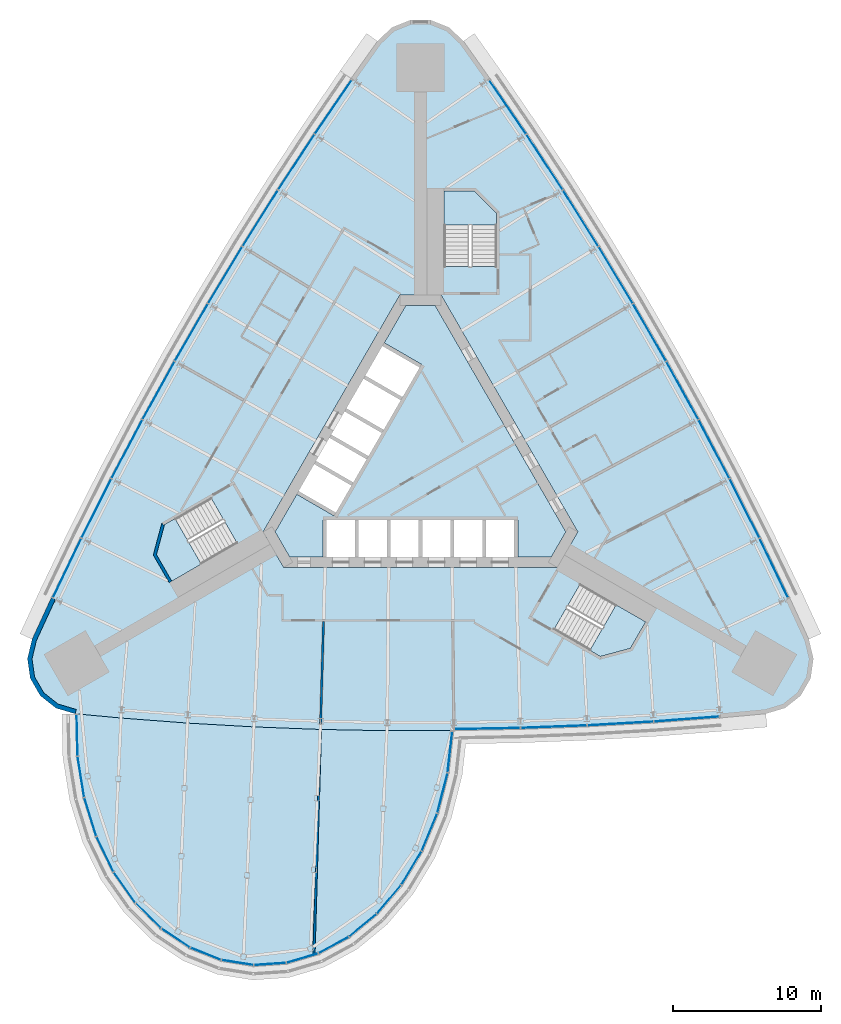
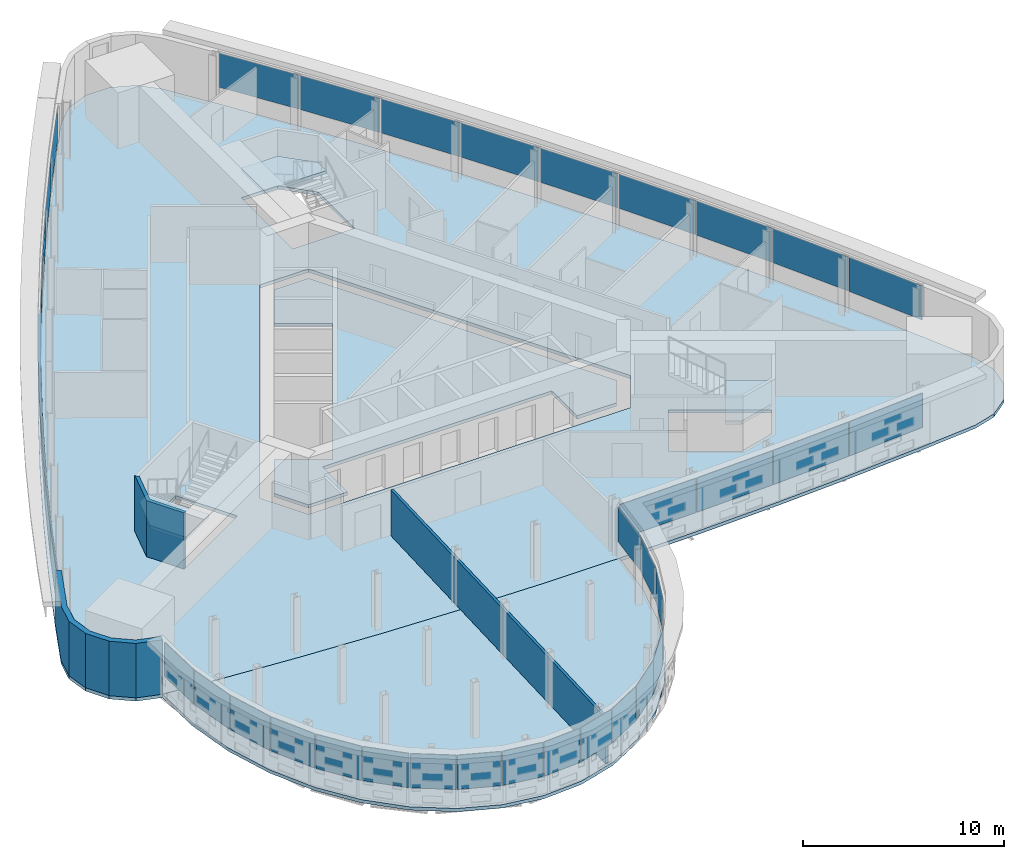
# One storey, part 9 of 16: 40 plates, 6 slabs, 3 walls, 7 elements without a shape of their own.
"""IFC4 building model written with IfcOpenShell, lengths in metres."""

from ifc_helpers import new_model, si_unit, direction, frame, frame_2d, origin, origin_2d, place, context, subcontext, project, spatial, polyline, rectangle, outline, extrude, material, layer, layer_set, type_object, element, aggregate, save


model = new_model("IFC4")

# Units and contexts
model_context = context("Model", 3, precision=1e-05, world=origin(), true_north=direction((0.0, 1.0)))
body_context = subcontext(model_context, "Body", "Model", "MODEL_VIEW")
ifc_project = project(units=[si_unit("LENGTHUNIT", "METRE"), si_unit("AREAUNIT", "SQUARE_METRE"), si_unit("VOLUMEUNIT", "CUBIC_METRE"), si_unit("PLANEANGLEUNIT", "RADIAN"), si_unit("MASSUNIT", "GRAM", prefix="KILO")], contexts=[model_context])

# Site, building, storey
site_placement = place(None, origin())
site = spatial("IfcSite", under=ifc_project, at=site_placement, CompositionType="ELEMENT")
building_placement = place(site_placement, origin())
building = spatial("IfcBuilding", under=site, at=building_placement, Name="Noor Cloister Tower", CompositionType="ELEMENT")
storey_placement = place(building_placement, frame((0.0, 0.0, 61.800048828125)))
storey = spatial("IfcBuildingStorey", under=building, at=storey_placement, Name="L15", CompositionType="ELEMENT", Elevation=61.800048828125)

# Slabs
ifc_material_1 = material(Name="Concrete C40/50", Category="concrete")
ifc_layer_1 = layer(ifc_material_1, 0.199951171875)
ifc_layer_set_1 = layer_set([ifc_layer_1], Name="Core floor slab 200 C40/50")
slab_type_1 = type_object("IfcSlabType", Name="Core floor slab 200 C40/50", PredefinedType="FLOOR", material=ifc_layer_set_1)
slab_1_placement = place(storey_placement, frame((0.0, 0.0, -0.199951171875)))
element("IfcSlab", 1, at=slab_1_placement, inside=storey, type_object=slab_type_1, Name="Core floor L15", PredefinedType="FLOOR", context=body_context, shape_type="SweptSolid", body=[
    extrude(outline(polyline([(-6.574951171875, -6.228271484375), (-6.574951171875, -3.728271484375), (6.574951171875, -3.728271484375), (6.574951171875, -6.228271484375), (8.82470703125, -6.228271484375), (9.80615234375, -4.5283203125), (0.9814453125, 10.75634765625), (-0.9814453125, 10.75634765625), (-2.44384765625, 8.2236328125), (0.067626953125, 6.773681640625), (-5.832275390625, -3.4453125), (-8.34375, -1.995361328125), (-9.80615234375, -4.5283203125), (-8.82470703125, -6.228271484375), (-6.574951171875, -6.228271484375)])), origin(), (0.0, 0.0, 1.0), 0.199951171875),
])
ifc_material_2 = material(Name="Concrete C40/50", Category="concrete")
ifc_layer_2 = layer(ifc_material_2, 0.199951171875)
ifc_layer_set_2 = layer_set([ifc_layer_2], Name="Floor slab 200 C40/50")
slab_type_2 = type_object("IfcSlabType", Name="Floor slab 200 C40/50", PredefinedType="FLOOR", material=ifc_layer_set_2)
slab_2_placement = place(storey_placement, frame((0.0, 0.0, -0.199951171875)))
element("IfcSlab", 2, at=slab_2_placement, inside=storey, type_object=slab_type_2, Name="Floor slab L15", PredefinedType="FLOOR", context=body_context, shape_type="SweptSolid", body=[
    extrude(outline(polyline([(2.90087890625, 28.576171875), (1.923828125, 29.502197265625), (0.673095703125, 30.000732421875), (-0.673095703125, 30.000732421875), (-1.923828125, 29.502197265625), (-2.90087890625, 28.576171875), (-4.683837890625, 26.05810546875), (-7.224609375, 22.343994140625), (-9.69384765625, 18.582275390625), (-12.091064453125, 14.77392578125), (-14.4150390625, 10.920654296875), (-16.6650390625, 7.0234375), (-18.840087890625, 3.084228515625), (-20.939697265625, -0.89599609375), (-22.962890625, -4.91552734375), (-24.908935546875, -8.972900390625), (-26.1982421875, -11.77587890625), (-26.511474609375, -13.085205078125), (-26.31787109375, -14.41748046875), (-25.644775390625, -15.583251953125), (-24.587890625, -16.417236328125), (-23.29736328125, -16.80029296875), (-20.22509765625, -17.085205078125), (-15.73828125, -17.4287109375), (-11.24560546875, -17.686279296875), (-6.7490234375, -17.858154296875), (-2.25, -17.944091796875), (2.25, -17.944091796875), (6.7490234375, -17.858154296875), (11.24560546875, -17.686279296875), (15.73828125, -17.4287109375), (20.22509765625, -17.085205078125), (23.29736328125, -16.80029296875), (24.587890625, -16.417236328125), (25.644775390625, -15.583251953125), (26.31787109375, -14.41748046875), (26.511474609375, -13.085205078125), (26.1982421875, -11.77587890625), (24.908935546875, -8.972900390625), (22.962890625, -4.91552734375), (20.939697265625, -0.89599609375), (18.840087890625, 3.084228515625), (16.6650390625, 7.0234375), (14.4150390625, 10.920654296875), (12.091064453125, 14.77392578125), (9.69384765625, 18.582275390625), (7.224609375, 22.343994140625), (4.683837890625, 26.05810546875), (2.90087890625, 28.576171875)]), holes=[polyline([(8.999755859375, -11.126220703125), (12.131591796875, -12.934326171875), (14.1572265625, -12.3916015625), (15.19091796875, -10.601318359375), (10.774658203125, -8.0517578125), (8.999755859375, -11.126220703125)]), polyline([(-17.81005859375, -6.064697265625), (-16.776611328125, -7.85498046875), (-12.3603515625, -5.305419921875), (-14.13525390625, -2.23095703125), (-16.662841796875, -3.690185546875), (-17.267333984375, -4.039306640625), (-17.81005859375, -6.064697265625)]), polyline([(-10.6142578125, -4.5283203125), (-9.228759765625, -6.92822265625), (9.228759765625, -6.92822265625), (10.6142578125, -4.5283203125), (1.3857421875, 11.456298828125), (-1.3857421875, 11.456298828125), (-10.6142578125, -4.5283203125)]), polyline([(3.65283203125, 18.456298828125), (1.585693359375, 18.456298828125), (1.585693359375, 13.35693359375), (5.135498046875, 13.35693359375), (5.135498046875, 16.9736328125), (3.65283203125, 18.456298828125)])]), origin(), (0.0, 0.0, 1.0), 0.199951171875),
])

# Curtain wall, plates
ifc_material_3 = material(Name="Aluminium 6063-T6 anodised", Category="aluminium")
curtain_wall_type_1 = type_object("IfcCurtainWallType", Name="Ribbon curtain wall, lower tower CW1", PredefinedType="NOTDEFINED", material=ifc_material_3)
curtain_wall_1_placement = place(storey_placement, origin())
curtain_wall_1 = element("IfcCurtainWall", 3, at=curtain_wall_1_placement, inside=storey, type_object=curtain_wall_type_1, Name="CW1 L15 NW run 1", PredefinedType="NOTDEFINED")
ifc_material_4 = material(Name="Clear laminated glass 2 x 8 mm", Category="glass")
ifc_layer_3 = layer(ifc_material_4, 0.028076171875)
ifc_layer_set_3 = layer_set([ifc_layer_3], Name="Glass panel CW1")
plate_type_1 = type_object("IfcPlateType", Name="Glass panel CW1", PredefinedType="CURTAIN_PANEL", material=ifc_layer_set_3)
plate_1_placement = place(storey_placement, frame((-5.882568359375, 24.12841796875, 1.08984375), z_axis=(0.0, 0.0, 1.0), x_axis=(-0.564629239498, -0.82534466855, 0.0)))
plate_1 = element("IfcPlate", 4, at=plate_1_placement, type_object=plate_type_1, Name="CW1 glass panel 1", PredefinedType="CURTAIN_PANEL", context=body_context, shape_type="SweptSolid", body=[
    extrude(rectangle(XDim=4.39892578125, YDim=0.028076171875, at=origin_2d()), origin(), (0.0, 0.0, 1.0), 2.070068359375),
])
plate_2_placement = place(storey_placement, frame((-8.375732421875, 20.408203125, 1.08984375), z_axis=(0.0, 0.0, 1.0), x_axis=(-0.548766225596, -0.835975854702, 0.0)))
plate_2 = element("IfcPlate", 5, at=plate_2_placement, type_object=plate_type_1, Name="CW1 glass panel 2", PredefinedType="CURTAIN_PANEL", context=body_context, shape_type="SweptSolid", body=[
    extrude(rectangle(XDim=4.43798828125, YDim=0.028076171875, at=origin_2d()), origin(), (0.0, 0.0, 1.0), 2.070068359375),
])
plate_3_placement = place(storey_placement, frame((-10.807861328125, 16.624755859375, 1.08984375), z_axis=(0.0, 0.0, 1.0), x_axis=(-0.532703085297, -0.84630220543, 0.0)))
plate_3 = element("IfcPlate", 6, at=plate_3_placement, type_object=plate_type_1, Name="CW1 glass panel 3", PredefinedType="CURTAIN_PANEL", context=body_context, shape_type="SweptSolid", body=[
    extrude(rectangle(XDim=4.43798828125, YDim=0.028076171875, at=origin_2d()), origin(), (0.0, 0.0, 1.0), 2.070068359375),
])
plate_4_placement = place(storey_placement, frame((-13.16748046875, 12.795654296875, 1.08984375), z_axis=(0.0, 0.0, 1.0), x_axis=(-0.516445705504, -0.856319936277, 0.0)))
plate_4 = element("IfcPlate", 7, at=plate_4_placement, type_object=plate_type_1, Name="CW1 glass panel 4", PredefinedType="CURTAIN_PANEL", context=body_context, shape_type="SweptSolid", body=[
    extrude(rectangle(XDim=4.43798828125, YDim=0.028076171875, at=origin_2d()), origin(), (0.0, 0.0, 1.0), 2.070068359375),
])
plate_5_placement = place(storey_placement, frame((-15.453369140625, 8.922119140625, 1.08984375), z_axis=(0.0, 0.0, 1.0), x_axis=(-0.5, -0.866025403784, 0.0)))
plate_5 = element("IfcPlate", 8, at=plate_5_placement, type_object=plate_type_1, Name="CW1 glass panel 5", PredefinedType="CURTAIN_PANEL", context=body_context, shape_type="SweptSolid", body=[
    extrude(rectangle(XDim=4.43798828125, YDim=0.028076171875, at=origin_2d()), origin(), (0.0, 0.0, 1.0), 2.070068359375),
])
plate_6_placement = place(storey_placement, frame((-17.6650390625, 5.005615234375, 1.08984375), z_axis=(0.0, 0.0, 1.0), x_axis=(-0.483371965831, -0.875415068781, 0.0)))
plate_6 = element("IfcPlate", 9, at=plate_6_placement, type_object=plate_type_1, Name="CW1 glass panel 6", PredefinedType="CURTAIN_PANEL", context=body_context, shape_type="SweptSolid", body=[
    extrude(rectangle(XDim=4.43798828125, YDim=0.028076171875, at=origin_2d()), origin(), (0.0, 0.0, 1.0), 2.070068359375),
])
plate_7_placement = place(storey_placement, frame((-19.801513671875, 1.047607421875, 1.08984375), z_axis=(0.0, 0.0, 1.0), x_axis=(-0.466567666533, -0.884485507256, 0.0)))
plate_7 = element("IfcPlate", 10, at=plate_7_placement, type_object=plate_type_1, Name="CW1 glass panel 7", PredefinedType="CURTAIN_PANEL", context=body_context, shape_type="SweptSolid", body=[
    extrude(rectangle(XDim=4.43798828125, YDim=0.028076171875, at=origin_2d()), origin(), (0.0, 0.0, 1.0), 2.070068359375),
])
plate_8_placement = place(storey_placement, frame((-21.86181640625, -2.95068359375, 1.08984375), z_axis=(0.0, 0.0, 1.0), x_axis=(-0.449593214325, -0.893233419456, 0.0)))
plate_8 = element("IfcPlate", 11, at=plate_8_placement, type_object=plate_type_1, Name="CW1 glass panel 8", PredefinedType="CURTAIN_PANEL", context=body_context, shape_type="SweptSolid", body=[
    extrude(rectangle(XDim=4.43798828125, YDim=0.028076171875, at=origin_2d()), origin(), (0.0, 0.0, 1.0), 2.070068359375),
])
plate_9_placement = place(storey_placement, frame((-23.837158203125, -6.9697265625, 1.08984375), z_axis=(0.0, 0.0, 1.0), x_axis=(-0.432454830094, -0.9016555994, 0.0)))
plate_9 = element("IfcPlate", 12, at=plate_9_placement, type_object=plate_type_1, Name="CW1 glass panel 9", PredefinedType="CURTAIN_PANEL", context=body_context, shape_type="SweptSolid", body=[
    extrude(rectangle(XDim=4.39892578125, YDim=0.028076171875, at=origin_2d()), origin(), (0.0, 0.0, 1.0), 2.070068359375),
])
aggregate(curtain_wall_1, [plate_1, plate_2, plate_3, plate_4, plate_5, plate_6, plate_7, plate_8, plate_9])

curtain_wall_2_placement = place(storey_placement, origin())
curtain_wall_2 = element("IfcCurtainWall", 13, at=curtain_wall_2_placement, inside=storey, type_object=curtain_wall_type_1, Name="CW1 L15 S run 3", PredefinedType="NOTDEFINED")
plate_10_placement = place(storey_placement, frame((4.51708984375, -17.80078125, 1.08984375), z_axis=(0.0, 0.0, 1.0), x_axis=(0.999817671335, 0.019095132503, 0.0)))
plate_10 = element("IfcPlate", 14, at=plate_10_placement, type_object=plate_type_1, Name="CW1 glass panel 1", PredefinedType="CURTAIN_PANEL", context=body_context, shape_type="SweptSolid", body=[
    extrude(rectangle(XDim=4.39892578125, YDim=0.028076171875, at=origin_2d()), origin(), (0.0, 0.0, 1.0), 2.070068359375),
])
plate_11_placement = place(storey_placement, frame((8.99365234375, -17.67236328125, 1.08984375), z_axis=(0.0, 0.0, 1.0), x_axis=(0.999270751829, 0.038183301826, 0.0)))
plate_11 = element("IfcPlate", 15, at=plate_11_placement, type_object=plate_type_1, Name="CW1 glass panel 2", PredefinedType="CURTAIN_PANEL", context=body_context, shape_type="SweptSolid", body=[
    extrude(rectangle(XDim=4.43798828125, YDim=0.028076171875, at=origin_2d()), origin(), (0.0, 0.0, 1.0), 2.070068359375),
])
plate_12_placement = place(storey_placement, frame((13.486328125, -17.457763671875, 1.08984375), z_axis=(0.0, 0.0, 1.0), x_axis=(0.998359439921, 0.057257564754, 0.0)))
plate_12 = element("IfcPlate", 16, at=plate_12_placement, type_object=plate_type_1, Name="CW1 glass panel 3", PredefinedType="CURTAIN_PANEL", context=body_context, shape_type="SweptSolid", body=[
    extrude(rectangle(XDim=4.43798828125, YDim=0.028076171875, at=origin_2d()), origin(), (0.0, 0.0, 1.0), 2.070068359375),
])
plate_13_placement = place(storey_placement, frame((17.95458984375, -17.15869140625, 1.08984375), z_axis=(0.0, 0.0, 1.0), x_axis=(0.997084069591, 0.076310930849, 0.0)))
plate_13 = element("IfcPlate", 17, at=plate_13_placement, type_object=plate_type_1, Name="CW1 glass panel 4", PredefinedType="CURTAIN_PANEL", context=body_context, shape_type="SweptSolid", body=[
    extrude(rectangle(XDim=4.39892578125, YDim=0.028076171875, at=origin_2d()), origin(), (0.0, 0.0, 1.0), 2.070068359375),
])
aggregate(curtain_wall_2, [plate_10, plate_11, plate_12, plate_13])

curtain_wall_3_placement = place(storey_placement, origin())
curtain_wall_3 = element("IfcCurtainWall", 18, at=curtain_wall_3_placement, inside=storey, type_object=curtain_wall_type_1, Name="CW1 L15 NE run 4", PredefinedType="NOTDEFINED")
plate_14_placement = place(storey_placement, frame((23.837158203125, -6.9697265625, 1.08984375), z_axis=(0.0, 0.0, 1.0), x_axis=(-0.432454830094, 0.9016555994, 0.0)))
plate_14 = element("IfcPlate", 19, at=plate_14_placement, type_object=plate_type_1, Name="CW1 glass panel 1", PredefinedType="CURTAIN_PANEL", context=body_context, shape_type="SweptSolid", body=[
    extrude(rectangle(XDim=4.39892578125, YDim=0.028076171875, at=origin_2d()), origin(), (0.0, 0.0, 1.0), 2.070068359375),
])
plate_15_placement = place(storey_placement, frame((21.86181640625, -2.95068359375, 1.08984375), z_axis=(0.0, 0.0, 1.0), x_axis=(-0.449593214325, 0.893233419456, 0.0)))
plate_15 = element("IfcPlate", 20, at=plate_15_placement, type_object=plate_type_1, Name="CW1 glass panel 2", PredefinedType="CURTAIN_PANEL", context=body_context, shape_type="SweptSolid", body=[
    extrude(rectangle(XDim=4.43798828125, YDim=0.028076171875, at=origin_2d()), origin(), (0.0, 0.0, 1.0), 2.070068359375),
])
plate_16_placement = place(storey_placement, frame((19.801513671875, 1.047607421875, 1.08984375), z_axis=(0.0, 0.0, 1.0), x_axis=(-0.466567666533, 0.884485507256, 0.0)))
plate_16 = element("IfcPlate", 21, at=plate_16_placement, type_object=plate_type_1, Name="CW1 glass panel 3", PredefinedType="CURTAIN_PANEL", context=body_context, shape_type="SweptSolid", body=[
    extrude(rectangle(XDim=4.43798828125, YDim=0.028076171875, at=origin_2d()), origin(), (0.0, 0.0, 1.0), 2.070068359375),
])
plate_17_placement = place(storey_placement, frame((17.6650390625, 5.005615234375, 1.08984375), z_axis=(0.0, 0.0, 1.0), x_axis=(-0.483371965831, 0.875415068781, 0.0)))
plate_17 = element("IfcPlate", 22, at=plate_17_placement, type_object=plate_type_1, Name="CW1 glass panel 4", PredefinedType="CURTAIN_PANEL", context=body_context, shape_type="SweptSolid", body=[
    extrude(rectangle(XDim=4.43798828125, YDim=0.028076171875, at=origin_2d()), origin(), (0.0, 0.0, 1.0), 2.070068359375),
])
plate_18_placement = place(storey_placement, frame((15.453369140625, 8.922119140625, 1.08984375), z_axis=(0.0, 0.0, 1.0), x_axis=(-0.5, 0.866025403784, 0.0)))
plate_18 = element("IfcPlate", 23, at=plate_18_placement, type_object=plate_type_1, Name="CW1 glass panel 5", PredefinedType="CURTAIN_PANEL", context=body_context, shape_type="SweptSolid", body=[
    extrude(rectangle(XDim=4.43798828125, YDim=0.028076171875, at=origin_2d()), origin(), (0.0, 0.0, 1.0), 2.070068359375),
])
plate_19_placement = place(storey_placement, frame((13.16748046875, 12.795654296875, 1.08984375), z_axis=(0.0, 0.0, 1.0), x_axis=(-0.516445705504, 0.856319936277, 0.0)))
plate_19 = element("IfcPlate", 24, at=plate_19_placement, type_object=plate_type_1, Name="CW1 glass panel 6", PredefinedType="CURTAIN_PANEL", context=body_context, shape_type="SweptSolid", body=[
    extrude(rectangle(XDim=4.43798828125, YDim=0.028076171875, at=origin_2d()), origin(), (0.0, 0.0, 1.0), 2.070068359375),
])
plate_20_placement = place(storey_placement, frame((10.807861328125, 16.624755859375, 1.08984375), z_axis=(0.0, 0.0, 1.0), x_axis=(-0.532703085297, 0.84630220543, 0.0)))
plate_20 = element("IfcPlate", 25, at=plate_20_placement, type_object=plate_type_1, Name="CW1 glass panel 7", PredefinedType="CURTAIN_PANEL", context=body_context, shape_type="SweptSolid", body=[
    extrude(rectangle(XDim=4.43798828125, YDim=0.028076171875, at=origin_2d()), origin(), (0.0, 0.0, 1.0), 2.070068359375),
])
plate_21_placement = place(storey_placement, frame((8.375732421875, 20.408203125, 1.08984375), z_axis=(0.0, 0.0, 1.0), x_axis=(-0.548766225596, 0.835975854702, 0.0)))
plate_21 = element("IfcPlate", 26, at=plate_21_placement, type_object=plate_type_1, Name="CW1 glass panel 8", PredefinedType="CURTAIN_PANEL", context=body_context, shape_type="SweptSolid", body=[
    extrude(rectangle(XDim=4.43798828125, YDim=0.028076171875, at=origin_2d()), origin(), (0.0, 0.0, 1.0), 2.070068359375),
])
plate_22_placement = place(storey_placement, frame((5.882568359375, 24.12841796875, 1.08984375), z_axis=(0.0, 0.0, 1.0), x_axis=(-0.564629239498, 0.82534466855, 0.0)))
plate_22 = element("IfcPlate", 27, at=plate_22_placement, type_object=plate_type_1, Name="CW1 glass panel 9", PredefinedType="CURTAIN_PANEL", context=body_context, shape_type="SweptSolid", body=[
    extrude(rectangle(XDim=4.39892578125, YDim=0.028076171875, at=origin_2d()), origin(), (0.0, 0.0, 1.0), 2.070068359375),
])
aggregate(curtain_wall_3, [plate_14, plate_15, plate_16, plate_17, plate_18, plate_19, plate_20, plate_21, plate_22])

ifc_material_5 = material(Name="Aluminium 6063-T6 anodised", Category="aluminium")
curtain_wall_type_2 = type_object("IfcCurtainWallType", Name="Sky bar curtain wall, lower bars CW2", PredefinedType="NOTDEFINED", material=ifc_material_5)
curtain_wall_4_placement = place(storey_placement, origin())
curtain_wall_4 = element("IfcCurtainWall", 28, at=curtain_wall_4_placement, inside=storey, type_object=curtain_wall_type_2, Name="CW2 L15 S sky bar run 2", PredefinedType="NOTDEFINED")
ifc_material_6 = material(Name="Clear laminated glass 2 x 8 mm", Category="glass")
ifc_layer_4 = layer(ifc_material_6, 0.028076171875)
ifc_layer_set_4 = layer_set([ifc_layer_4], Name="Glass panel CW2")
plate_type_2 = type_object("IfcPlateType", Name="Glass panel CW2", PredefinedType="CURTAIN_PANEL", material=ifc_layer_set_4)
plate_23_placement = place(storey_placement, frame((-23.1640625, -18.25, 1.08984375), z_axis=(0.0, 0.0, 1.0), x_axis=(0.022953130341, -0.999736542199, 0.0)))
plate_23 = element("IfcPlate", 29, at=plate_23_placement, type_object=plate_type_2, Name="CW2 glass panel 1", PredefinedType="CURTAIN_PANEL", context=body_context, shape_type="SweptSolid", body=[
    extrude(rectangle(XDim=2.764892578125, YDim=0.028076171875, at=origin_2d()), origin(), (0.0, 0.0, 1.0), 2.070068359375),
])
plate_24_placement = place(storey_placement, frame((-22.90673828125, -21.055908203125, 1.08984375), z_axis=(0.0, 0.0, 1.0), x_axis=(0.159312680453, -0.987228175169, 0.0)))
plate_24 = element("IfcPlate", 30, at=plate_24_placement, type_object=plate_type_2, Name="CW2 glass panel 2", PredefinedType="CURTAIN_PANEL", context=body_context, shape_type="SweptSolid", body=[
    extrude(rectangle(XDim=2.76318359375, YDim=0.028076171875, at=origin_2d()), origin(), (0.0, 0.0, 1.0), 2.070068359375),
])
plate_25_placement = place(storey_placement, frame((-22.271728515625, -23.765625, 1.08984375), z_axis=(0.0, 0.0, 1.0), x_axis=(0.297447210431, -0.954738266232, 0.0)))
plate_25 = element("IfcPlate", 31, at=plate_25_placement, type_object=plate_type_2, Name="CW2 glass panel 3", PredefinedType="CURTAIN_PANEL", context=body_context, shape_type="SweptSolid", body=[
    extrude(rectangle(XDim=2.69677734375, YDim=0.028076171875, at=origin_2d()), origin(), (0.0, 0.0, 1.0), 2.070068359375),
])
plate_26_placement = place(storey_placement, frame((-21.279296875, -26.280029296875, 1.08984375), z_axis=(0.0, 0.0, 1.0), x_axis=(0.437139862284, -0.899393540561, 0.0)))
plate_26 = element("IfcPlate", 32, at=plate_26_placement, type_object=plate_type_2, Name="CW2 glass panel 4", PredefinedType="CURTAIN_PANEL", context=body_context, shape_type="SweptSolid", body=[
    extrude(rectangle(XDim=2.6044921875, YDim=0.028076171875, at=origin_2d()), origin(), (0.0, 0.0, 1.0), 2.070068359375),
])
plate_27_placement = place(storey_placement, frame((-19.9599609375, -28.522705078125, 1.08984375), z_axis=(0.0, 0.0, 1.0), x_axis=(0.576574241593, -0.817044762501, 0.0)))
plate_27 = element("IfcPlate", 33, at=plate_27_placement, type_object=plate_type_2, Name="CW2 glass panel 5", PredefinedType="CURTAIN_PANEL", context=body_context, shape_type="SweptSolid", body=[
    extrude(rectangle(XDim=2.49560546875, YDim=0.028076171875, at=origin_2d()), origin(), (0.0, 0.0, 1.0), 2.070068359375),
])
plate_28_placement = place(storey_placement, frame((-18.354736328125, -30.425048828125, 1.08984375), z_axis=(0.0, 0.0, 1.0), x_axis=(0.71124855253, -0.702940606683, 0.0)))
plate_28 = element("IfcPlate", 34, at=plate_28_placement, type_object=plate_type_2, Name="CW2 glass panel 6", PredefinedType="CURTAIN_PANEL", context=body_context, shape_type="SweptSolid", body=[
    extrude(rectangle(XDim=2.3818359375, YDim=0.028076171875, at=origin_2d()), origin(), (0.0, 0.0, 1.0), 2.070068359375),
])
plate_29_placement = place(storey_placement, frame((-16.5126953125, -31.93017578125, 1.08984375), z_axis=(0.0, 0.0, 1.0), x_axis=(0.832918207927, -0.553396113922, 0.0)))
plate_29 = element("IfcPlate", 35, at=plate_29_placement, type_object=plate_type_2, Name="CW2 glass panel 7", PredefinedType="CURTAIN_PANEL", context=body_context, shape_type="SweptSolid", body=[
    extrude(rectangle(XDim=2.27685546875, YDim=0.028076171875, at=origin_2d()), origin(), (0.0, 0.0, 1.0), 2.070068359375),
])
plate_30_placement = place(storey_placement, frame((-14.49072265625, -32.992919921875, 1.08984375), z_axis=(0.0, 0.0, 1.0), x_axis=(0.92953704236, -0.36872874431, 0.0)))
plate_30 = element("IfcPlate", 36, at=plate_30_placement, type_object=plate_type_2, Name="CW2 glass panel 8", PredefinedType="CURTAIN_PANEL", context=body_context, shape_type="SweptSolid", body=[
    extrude(rectangle(XDim=2.196044921875, YDim=0.028076171875, at=origin_2d()), origin(), (0.0, 0.0, 1.0), 2.070068359375),
])
plate_31_placement = place(storey_placement, frame((-12.349609375, -33.58203125, 1.08984375), z_axis=(0.0, 0.0, 1.0), x_axis=(0.987675548586, -0.156515209246, 0.0)))
plate_31 = element("IfcPlate", 37, at=plate_31_placement, type_object=plate_type_2, Name="CW2 glass panel 9", PredefinedType="CURTAIN_PANEL", context=body_context, shape_type="SweptSolid", body=[
    extrude(rectangle(XDim=2.151611328125, YDim=0.028076171875, at=origin_2d()), origin(), (0.0, 0.0, 1.0), 2.070068359375),
])
plate_32_placement = place(storey_placement, frame((-10.153564453125, -33.680419921875, 1.08984375), z_axis=(0.0, 0.0, 1.0), x_axis=(0.997710380305, 0.067631331732, 0.0)))
plate_32 = element("IfcPlate", 38, at=plate_32_placement, type_object=plate_type_2, Name="CW2 glass panel 10", PredefinedType="CURTAIN_PANEL", context=body_context, shape_type="SweptSolid", body=[
    extrude(rectangle(XDim=2.151611328125, YDim=0.028076171875, at=origin_2d()), origin(), (0.0, 0.0, 1.0), 2.070068359375),
])
plate_33_placement = place(storey_placement, frame((-7.968505859375, -33.284912109375, 1.08984375), z_axis=(0.0, 0.0, 1.0), x_axis=(0.958767660317, 0.284191086295, 0.0)))
plate_33 = element("IfcPlate", 39, at=plate_33_placement, type_object=plate_type_2, Name="CW2 glass panel 11", PredefinedType="CURTAIN_PANEL", context=body_context, shape_type="SweptSolid", body=[
    extrude(rectangle(XDim=2.196044921875, YDim=0.028076171875, at=origin_2d()), origin(), (0.0, 0.0, 1.0), 2.070068359375),
])
plate_34_placement = place(storey_placement, frame((-5.859375, -32.4072265625, 1.08984375), z_axis=(0.0, 0.0, 1.0), x_axis=(0.879037044757, 0.476753472924, 0.0)))
plate_34 = element("IfcPlate", 40, at=plate_34_placement, type_object=plate_type_2, Name="CW2 glass panel 12", PredefinedType="CURTAIN_PANEL", context=body_context, shape_type="SweptSolid", body=[
    extrude(rectangle(XDim=2.27685546875, YDim=0.028076171875, at=origin_2d()), origin(), (0.0, 0.0, 1.0), 2.070068359375),
])
plate_35_placement = place(storey_placement, frame((-3.890380859375, -31.07275390625, 1.08984375), z_axis=(0.0, 0.0, 1.0), x_axis=(0.771217283095, 0.636571992987, 0.0)))
plate_35 = element("IfcPlate", 41, at=plate_35_placement, type_object=plate_type_2, Name="CW2 glass panel 13", PredefinedType="CURTAIN_PANEL", context=body_context, shape_type="SweptSolid", body=[
    extrude(rectangle(XDim=2.3818359375, YDim=0.028076171875, at=origin_2d()), origin(), (0.0, 0.0, 1.0), 2.070068359375),
])
plate_36_placement = place(storey_placement, frame((-2.12158203125, -29.3212890625, 1.08984375), z_axis=(0.0, 0.0, 1.0), x_axis=(0.647277976935, 0.762254039396, 0.0)))
plate_36 = element("IfcPlate", 42, at=plate_36_placement, type_object=plate_type_2, Name="CW2 glass panel 14", PredefinedType="CURTAIN_PANEL", context=body_context, shape_type="SweptSolid", body=[
    extrude(rectangle(XDim=2.49560546875, YDim=0.028076171875, at=origin_2d()), origin(), (0.0, 0.0, 1.0), 2.070068359375),
])
plate_37_placement = place(storey_placement, frame((-0.607177734375, -27.20556640625, 1.08984375), z_axis=(0.0, 0.0, 1.0), x_axis=(0.515760030153, 0.856733092215, 0.0)))
plate_37 = element("IfcPlate", 43, at=plate_37_placement, type_object=plate_type_2, Name="CW2 glass panel 15", PredefinedType="CURTAIN_PANEL", context=body_context, shape_type="SweptSolid", body=[
    extrude(rectangle(XDim=2.6044921875, YDim=0.028076171875, at=origin_2d()), origin(), (0.0, 0.0, 1.0), 2.070068359375),
])
plate_38_placement = place(storey_placement, frame((0.606201171875, -24.789794921875, 1.08984375), z_axis=(0.0, 0.0, 1.0), x_axis=(0.38157175805, 0.924339219907, 0.0)))
plate_38 = element("IfcPlate", 44, at=plate_38_placement, type_object=plate_type_2, Name="CW2 glass panel 16", PredefinedType="CURTAIN_PANEL", context=body_context, shape_type="SweptSolid", body=[
    extrude(rectangle(XDim=2.69677734375, YDim=0.028076171875, at=origin_2d()), origin(), (0.0, 0.0, 1.0), 2.070068359375),
])
plate_39_placement = place(storey_placement, frame((1.480712890625, -22.147705078125, 1.08984375), z_axis=(0.0, 0.0, 1.0), x_axis=(0.246893105079, 0.969042720763, 0.0)))
plate_39 = element("IfcPlate", 45, at=plate_39_placement, type_object=plate_type_2, Name="CW2 glass panel 17", PredefinedType="CURTAIN_PANEL", context=body_context, shape_type="SweptSolid", body=[
    extrude(rectangle(XDim=2.76318359375, YDim=0.028076171875, at=origin_2d()), origin(), (0.0, 0.0, 1.0), 2.070068359375),
])
plate_40_placement = place(storey_placement, frame((1.987548828125, -19.376220703125, 1.08984375), z_axis=(0.0, 0.0, 1.0), x_axis=(0.112196799802, 0.993686005796, 0.0)))
plate_40 = element("IfcPlate", 46, at=plate_40_placement, type_object=plate_type_2, Name="CW2 glass panel 18", PredefinedType="CURTAIN_PANEL", context=body_context, shape_type="SweptSolid", body=[
    extrude(rectangle(XDim=2.764892578125, YDim=0.028076171875, at=origin_2d()), origin(), (0.0, 0.0, 1.0), 2.070068359375),
])
aggregate(curtain_wall_4, [plate_23, plate_24, plate_25, plate_26, plate_27, plate_28, plate_29, plate_30, plate_31, plate_32, plate_33, plate_34, plate_35, plate_36, plate_37, plate_38, plate_39, plate_40])

# Slab
ifc_material_7 = material(Name="Concrete C40/50", Category="concrete")
ifc_layer_5 = layer(ifc_material_7, 0.199951171875)
ifc_layer_set_5 = layer_set([ifc_layer_5], Name="Pod floor slab 200")
slab_type_3 = type_object("IfcSlabType", Name="Pod floor slab 200", PredefinedType="FLOOR", material=ifc_layer_set_5)
slab_3_placement = place(storey_placement, frame((0.0, 0.0, -0.199951171875)))
element("IfcSlab", 47, at=slab_3_placement, inside=storey, type_object=slab_type_3, Name="Pod floor slab L15", PredefinedType="FLOOR", context=body_context, shape_type="SweptSolid", body=[
    extrude(outline(polyline([(-23.29736328125, -16.80029296875), (-23.2314453125, -19.67138671875), (-22.779296875, -22.472412109375), (-21.954833984375, -25.11865234375), (-20.783203125, -27.529541015625), (-19.299560546875, -29.6318359375), (-17.549560546875, -31.361328125), (-15.5859375, -32.666015625), (-13.468505859375, -33.506103515625), (-11.26171875, -33.855712890625), (-9.0322265625, -33.70458984375), (-6.84814453125, -33.05712890625), (-4.77587890625, -31.933349609375), (-2.878173828125, -30.366943359375), (-1.212890625, -28.40576171875), (0.169677734375, -26.109130859375), (1.227294921875, -23.54736328125), (1.927734375, -20.797607421875), (2.25, -17.944091796875), (-2.25, -17.944091796875), (-6.7490234375, -17.858154296875), (-11.24560546875, -17.686279296875), (-15.73828125, -17.4287109375), (-20.22509765625, -17.085205078125), (-23.29736328125, -16.80029296875)])), origin(), (0.0, 0.0, 1.0), 0.199951171875),
])

# Stair, slab
ifc_material_8 = material(Name="Concrete C40/50", Category="concrete")
stair_type = type_object("IfcStairType", Name="Exit stair 22 risers", PredefinedType="HALF_TURN_STAIR", material=ifc_material_8)
stair_1_placement = place(storey_placement, origin())
stair_1 = element("IfcStair", 48, at=stair_1_placement, inside=storey, type_object=stair_type, Name="Exit stair ST1 L15", PredefinedType="HALF_TURN_STAIR")
ifc_material_9 = material(Name="Concrete C40/50", Category="concrete")
ifc_layer_6 = layer(ifc_material_9, 0.199951171875)
ifc_layer_set_6 = layer_set([ifc_layer_6], Name="Stair landing 200 C40/50")
slab_type_4 = type_object("IfcSlabType", Name="Stair landing 200 C40/50", PredefinedType="LANDING", material=ifc_layer_set_6)
slab_4_placement = place(storey_placement, frame((0.0, 0.0, 1.599853515625)))
slab_4 = element("IfcSlab", 49, at=slab_4_placement, type_object=slab_type_4, Name="ST1 landing 1", PredefinedType="LANDING", context=body_context, shape_type="SweptSolid", body=[
    extrude(outline(polyline([(5.135498046875, 16.15576171875), (5.135498046875, 16.9736328125), (3.65283203125, 18.456298828125), (1.585693359375, 18.456298828125), (1.585693359375, 16.15576171875), (5.135498046875, 16.15576171875)])), origin(), (0.0, 0.0, 1.0), 0.2001953125),
])
aggregate(stair_1, [slab_4])

stair_2_placement = place(storey_placement, origin())
stair_2 = element("IfcStair", 50, at=stair_2_placement, inside=storey, type_object=stair_type, Name="Exit stair ST2 L15", PredefinedType="HALF_TURN_STAIR")
slab_5_placement = place(storey_placement, frame((0.0, 0.0, 1.599853515625)))
slab_5 = element("IfcSlab", 51, at=slab_5_placement, type_object=slab_type_4, Name="ST2 landing 1", PredefinedType="LANDING", context=body_context, shape_type="SweptSolid", body=[
    extrude(outline(polyline([(-16.55908203125, -3.63037109375), (-17.267333984375, -4.039306640625), (-17.81005859375, -6.064697265625), (-16.776611328125, -7.85498046875), (-14.7841796875, -6.70458984375), (-16.55908203125, -3.63037109375)])), origin(), (0.0, 0.0, 1.0), 0.2001953125),
])
aggregate(stair_2, [slab_5])

stair_3_placement = place(storey_placement, origin())
stair_3 = element("IfcStair", 52, at=stair_3_placement, inside=storey, type_object=stair_type, Name="Exit stair ST3 L15", PredefinedType="HALF_TURN_STAIR")
slab_6_placement = place(storey_placement, frame((0.0, 0.0, 1.599853515625)))
slab_6 = element("IfcSlab", 53, at=slab_6_placement, type_object=slab_type_4, Name="ST3 landing 1", PredefinedType="LANDING", context=body_context, shape_type="SweptSolid", body=[
    extrude(outline(polyline([(11.423583984375, -12.525390625), (12.131591796875, -12.934326171875), (14.1572265625, -12.3916015625), (15.19091796875, -10.601318359375), (13.198486328125, -9.451171875), (11.423583984375, -12.525390625)])), origin(), (0.0, 0.0, 1.0), 0.2001953125),
])
aggregate(stair_3, [slab_6])

# Walls
ifc_material_10 = material(Name="Gypsum board partition on steel studs, 150 mm", Category="steel")
ifc_layer_7 = layer(ifc_material_10, 0.14990234375)
ifc_layer_set_7 = layer_set([ifc_layer_7], Name="Flat wall 150")
wall_type_1 = type_object("IfcWallType", Name="Flat wall 150", PredefinedType="PARTITIONING", material=ifc_layer_set_7)
wall_1_placement = place(storey_placement, frame((-7.1826171875, -32.989501953125, 0.0), z_axis=(0.0, 0.0, 1.0), x_axis=(0.028641228243, 0.999589755872, 0.0)))
element("IfcWall", 54, at=wall_1_placement, inside=storey, type_object=wall_type_1, Name="Flat wall 150 L15 016", PredefinedType="PARTITIONING", context=body_context, shape_type="SweptSolid", body=[
    extrude(rectangle(XDim=22.41845703125, YDim=0.14990234375, at=frame_2d((11.209228515625, 0.0))), origin(), (0.0, 0.0, 1.0), 2.77783203125),
])
ifc_material_11 = material(Name="Limestone", Category="masonry")
ifc_layer_8 = layer(ifc_material_11, 0.300048828125)
ifc_layer_set_8 = layer_set([ifc_layer_8], Name="Limestone cladding 300")
wall_type_2 = type_object("IfcWallType", Name="Limestone cladding 300", PredefinedType="NOTDEFINED", material=ifc_layer_set_8)
wall_2_placement = place(storey_placement, origin())
element("IfcWall", 55, at=wall_2_placement, inside=storey, type_object=wall_type_2, Name="Limestone pier cladding L15 1.1", PredefinedType="NOTDEFINED", context=body_context, shape_type="SweptSolid", body=[
    extrude(outline(polyline([(-24.908935546875, -8.972900390625), (-26.1982421875, -11.77587890625), (-26.511474609375, -13.085205078125), (-26.31787109375, -14.41748046875), (-25.644775390625, -15.583251953125), (-24.587890625, -16.417236328125), (-23.29736328125, -16.80029296875), (-23.2119140625, -16.5126953125), (-24.447265625, -16.14599609375), (-25.413818359375, -15.383544921875), (-26.029296875, -14.317138671875), (-26.206298828125, -13.098876953125), (-25.913330078125, -11.87451171875), (-24.63623046875, -9.09814453125), (-24.908935546875, -8.972900390625)])), origin(), (0.0, 0.0, 1.0), 3.300048828125),
])
ifc_material_12 = material(Name="Concrete C80/95", Category="concrete")
wall_type_3 = type_object("IfcWallType", Name="Stair far end wall C80/95", PredefinedType="SHEAR", material=ifc_material_12)
wall_3_placement = place(storey_placement, frame((0.0, 0.0, -0.199951171875)))
element("IfcWall", 56, at=wall_3_placement, inside=storey, type_object=wall_type_3, Name="Stair enclosure wall ST2 L15 far end", PredefinedType="SHEAR", context=body_context, shape_type="SweptSolid", body=[
    extrude(outline(polyline([(-17.439208984375, -3.907470703125), (-18.024658203125, -6.093017578125), (-16.94970703125, -7.955078125), (-16.776611328125, -7.85498046875), (-17.81005859375, -6.064697265625), (-17.267333984375, -4.039306640625), (-17.339111328125, -4.08056640625), (-17.339111328125, -4.08056640625), (-17.339111328125, -4.08056640625), (-17.339111328125, -4.08056640625), (-17.339111328125, -4.08056640625), (-17.339111328125, -4.08056640625), (-17.339111328125, -4.08056640625), (-17.339111328125, -4.08056640625), (-17.339111328125, -4.08056640625), (-17.339111328125, -4.08056640625), (-17.339111328125, -4.08056640625), (-17.339111328125, -4.08056640625), (-17.339111328125, -4.08056640625), (-17.339111328125, -4.08056640625), (-17.339111328125, -4.08056640625), (-17.339111328125, -4.08056640625), (-17.339111328125, -4.08056640625), (-17.439208984375, -3.907470703125)])), origin(), (0.0, 0.0, 1.0), 3.599853515625),
])

save(model, "model.ifc")
